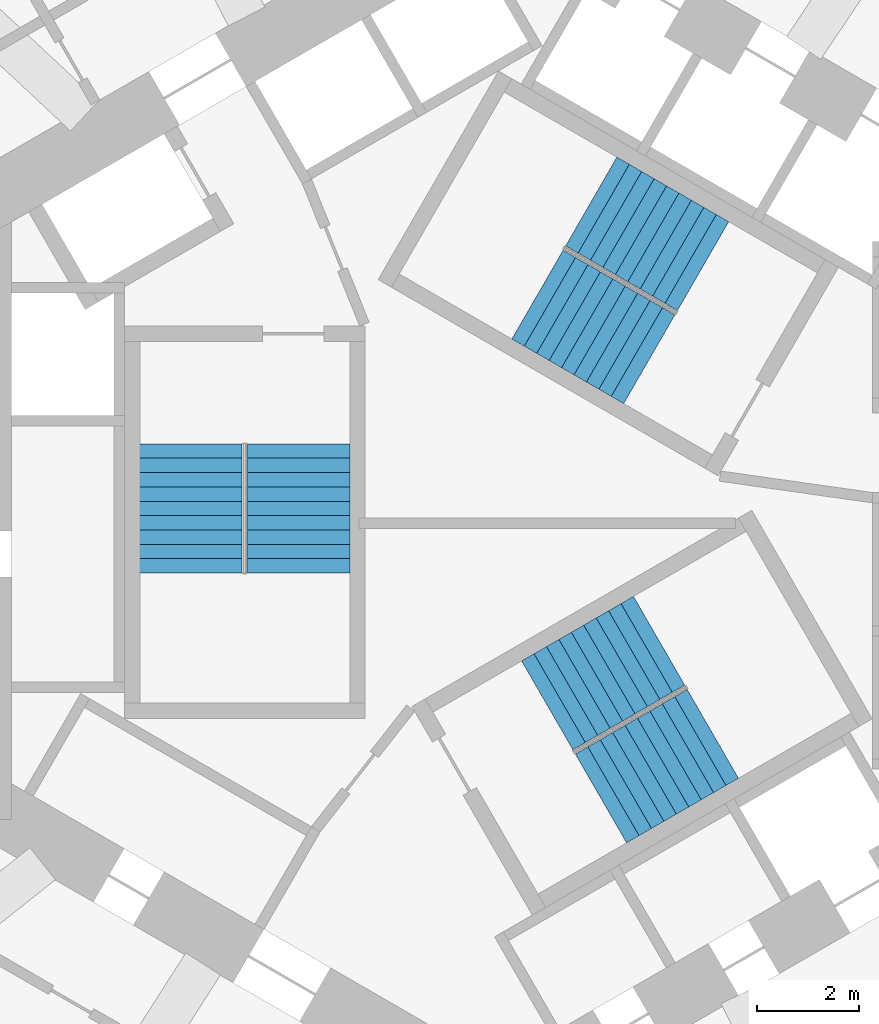
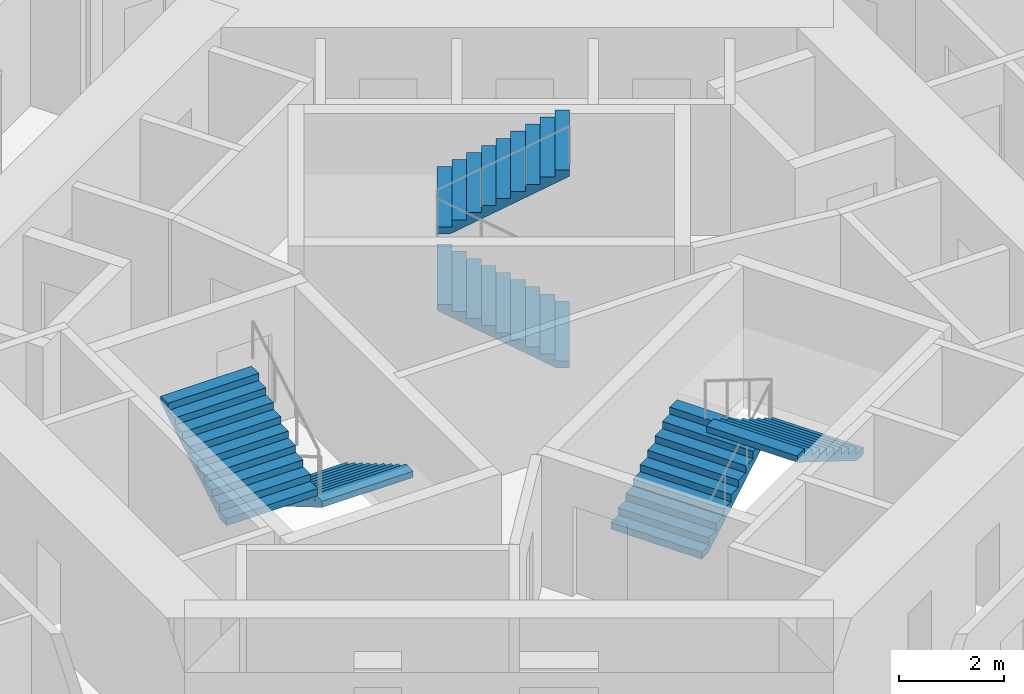
# One storey, part 9 of 11: 6 stair flights, 3 elements without a shape of their own.
"""IFC4 building model written with IfcOpenShell, lengths in metres."""

from ifc_helpers import new_model, si_unit, direction, frame, origin, place, context, subcontext, project, spatial, triangles, source, transform, mapped, material, type_object, element, aggregate, save


model = new_model("IFC4")

# Units and contexts
model_context = context("Model", 3, precision=1e-05, world=origin(), true_north=direction((0.0, 1.0)))
body_context = subcontext(model_context, "Body", "Model", "MODEL_VIEW")
ifc_project = project(units=[si_unit("LENGTHUNIT", "METRE"), si_unit("AREAUNIT", "SQUARE_METRE"), si_unit("VOLUMEUNIT", "CUBIC_METRE"), si_unit("PLANEANGLEUNIT", "RADIAN"), si_unit("MASSUNIT", "GRAM", prefix="KILO")], contexts=[model_context])

# Site, building, storey
site_placement = place(None, origin())
site = spatial("IfcSite", under=ifc_project, at=site_placement, CompositionType="ELEMENT")
building_placement = place(site_placement, origin())
building = spatial("IfcBuilding", under=site, at=building_placement, Name="Vanh Sen Convention Tower", CompositionType="ELEMENT")
storey_placement = place(building_placement, frame((0.0, 0.0, 100.10009765625)))
storey = spatial("IfcBuildingStorey", under=building, at=storey_placement, Name="L23", CompositionType="ELEMENT", Elevation=100.10009765625)

# Stair, stair flights
ifc_material_1 = material(Name="Concrete C50/60", Category="concrete")
stair_type_1 = type_object("IfcStairType", Name="Exit stair ST1 20 risers at 165.0", PredefinedType="HALF_TURN_STAIR", material=ifc_material_1)
stair_1_placement = place(storey_placement, origin())
stair_1 = element("IfcStair", 1, at=stair_1_placement, inside=storey, type_object=stair_type_1, Name="Exit stair ST1 L23", PredefinedType="HALF_TURN_STAIR")
ifc_material_2 = material(Name="Concrete C40/50", Category="concrete")
stair_flight_type = type_object("IfcStairFlightType", Name="Stair flight 2000", PredefinedType="STRAIGHT", material=ifc_material_2)
shared_shape = source(origin(), body_context, "Body", "Tessellation", [
    triangles([(0.24609375, 1.0, 0.0), (0.0, 1.0, 0.0), (0.0, 1.0, 0.1650390625), (0.280029296875, 1.0, 0.1650390625), (0.280029296875, 1.0, 0.330078125), (0.56005859375, 1.0, 0.330078125), (0.56005859375, 1.0, 0.4951171875), (0.840087890625, 1.0, 0.4951171875), (0.840087890625, 1.0, 0.659912109375), (1.1201171875, 1.0, 0.659912109375), (1.1201171875, 1.0, 0.824951171875), (1.39990234375, 1.0, 0.824951171875), (1.39990234375, 1.0, 0.989990234375), (1.679931640625, 1.0, 0.989990234375), (1.679931640625, 1.0, 1.155029296875), (1.9599609375, 1.0, 1.155029296875), (1.9599609375, 1.0, 1.320068359375), (2.239990234375, 1.0, 1.320068359375), (2.239990234375, 1.0, 1.485107421875), (2.52001953125, 1.0, 1.485107421875), (2.52001953125, 1.0, 1.33984375), (0.24609375, -1.0, 0.0), (0.0, -1.0, 0.0), (0.0, -1.0, 0.1650390625), (0.280029296875, -1.0, 0.1650390625), (0.280029296875, -1.0, 0.330078125), (0.56005859375, -1.0, 0.330078125), (0.56005859375, -1.0, 0.4951171875), (0.840087890625, -1.0, 0.4951171875), (0.840087890625, -1.0, 0.659912109375), (1.1201171875, -1.0, 0.659912109375), (1.1201171875, -1.0, 0.824951171875), (1.39990234375, -1.0, 0.824951171875), (1.39990234375, -1.0, 0.989990234375), (1.679931640625, -1.0, 0.989990234375), (1.679931640625, -1.0, 1.155029296875), (1.9599609375, -1.0, 1.155029296875), (1.9599609375, -1.0, 1.320068359375), (2.239990234375, -1.0, 1.320068359375), (2.239990234375, -1.0, 1.485107421875), (2.52001953125, -1.0, 1.485107421875), (2.52001953125, -1.0, 1.33984375), (0.0, 0.0400390625, 0.0), (0.0, 0.0390625, 0.0), (0.0, 0.0380859375, 0.0), (0.0, 0.037109375, 0.0), (0.0, 0.035888671875, 0.0), (0.0, 0.034912109375, 0.0), (0.0, 0.033935546875, 0.0), (0.0, 0.032958984375, 0.0), (0.0, 0.031982421875, 0.0), (0.0, 0.031005859375, 0.0), (0.0, 0.030029296875, 0.0), (0.0, 0.029052734375, 0.0), (0.0, 0.028076171875, 0.0), (0.0, 0.027099609375, 0.0), (0.0, 0.02587890625, 0.0), (0.0, 0.02490234375, 0.0), (0.0, 0.02392578125, 0.0), (0.0, 0.02294921875, 0.0), (0.0, 0.02197265625, 0.0), (0.0, 0.02099609375, 0.0), (0.0, 0.02001953125, 0.0), (0.0, 0.01904296875, 0.0), (0.0, 0.01806640625, 0.0), (0.0, 0.01708984375, 0.0), (0.0, 0.01611328125, 0.0), (0.0, 0.014892578125, 0.0), (0.0, 0.013916015625, 0.0), (0.0, 0.012939453125, 0.0), (0.0, 0.011962890625, 0.0), (0.0, 0.010986328125, 0.0), (0.0, 0.010009765625, 0.0), (0.0, 0.009033203125, 0.0), (0.0, 0.008056640625, 0.0), (0.0, 0.007080078125, 0.0), (0.0, 0.006103515625, 0.0), (0.0, 0.0048828125, 0.0), (0.0, 0.00390625, 0.0), (0.0, 0.0029296875, 0.0), (0.0, 0.001953125, 0.0), (0.0, 0.0009765625, 0.0), (0.0, 0.0, 0.0), (0.0, -0.0009765625, 0.0), (0.0, -0.001953125, 0.0), (0.0, -0.0029296875, 0.0), (0.0, -0.00390625, 0.0), (0.0, -0.0048828125, 0.0), (0.0, -0.006103515625, 0.0), (0.0, -0.007080078125, 0.0), (0.0, -0.008056640625, 0.0), (0.0, -0.009033203125, 0.0), (0.0, -0.010009765625, 0.0), (0.0, -0.010986328125, 0.0), (0.0, -0.011962890625, 0.0), (0.0, -0.012939453125, 0.0), (0.0, -0.013916015625, 0.0), (0.0, -0.014892578125, 0.0), (0.0, -0.01611328125, 0.0), (0.0, -0.01708984375, 0.0), (0.0, -0.01806640625, 0.0), (0.0, -0.01904296875, 0.0), (0.0, -0.02001953125, 0.0), (0.0, -0.02099609375, 0.0), (0.0, -0.02197265625, 0.0), (0.0, -0.02294921875, 0.0), (0.0, -0.02392578125, 0.0), (0.0, -0.02490234375, 0.0), (0.0, -0.02587890625, 0.0), (0.0, -0.027099609375, 0.0), (0.0, -0.028076171875, 0.0), (0.0, -0.029052734375, 0.0), (0.0, -0.030029296875, 0.0), (0.0, -0.031005859375, 0.0), (0.0, -0.031982421875, 0.0), (0.0, -0.032958984375, 0.0), (0.0, -0.033935546875, 0.0), (0.0, -0.034912109375, 0.0), (0.0, -0.035888671875, 0.0), (0.0, -0.037109375, 0.0), (0.0, -0.0380859375, 0.0), (0.0, -0.0390625, 0.0), (0.0, -0.0400390625, 0.0), (0.0, 0.0400390625, 0.1650390625), (0.0, 0.0390625, 0.1650390625), (0.0, 0.0380859375, 0.1650390625), (0.0, 0.037109375, 0.1650390625), (0.0, 0.035888671875, 0.1650390625), (0.0, 0.034912109375, 0.1650390625), (0.0, 0.033935546875, 0.1650390625), (0.0, 0.032958984375, 0.1650390625), (0.0, 0.031982421875, 0.1650390625), (0.0, 0.031005859375, 0.1650390625), (0.0, 0.030029296875, 0.1650390625), (0.0, 0.029052734375, 0.1650390625), (0.0, 0.028076171875, 0.1650390625), (0.0, 0.027099609375, 0.1650390625), (0.0, 0.02587890625, 0.1650390625), (0.0, 0.02490234375, 0.1650390625), (0.0, 0.02392578125, 0.1650390625), (0.0, 0.02294921875, 0.1650390625), (0.0, 0.02197265625, 0.1650390625), (0.0, 0.02099609375, 0.1650390625), (0.0, 0.02001953125, 0.1650390625), (0.0, 0.01904296875, 0.1650390625), (0.0, 0.01806640625, 0.1650390625), (0.0, 0.01708984375, 0.1650390625), (0.0, 0.01611328125, 0.1650390625), (0.0, 0.014892578125, 0.1650390625), (0.0, 0.013916015625, 0.1650390625), (0.0, 0.012939453125, 0.1650390625), (0.0, 0.011962890625, 0.1650390625), (0.0, 0.010986328125, 0.1650390625), (0.0, 0.010009765625, 0.1650390625), (0.0, 0.009033203125, 0.1650390625), (0.0, 0.008056640625, 0.1650390625), (0.0, 0.007080078125, 0.1650390625), (0.0, 0.006103515625, 0.1650390625), (0.0, 0.0048828125, 0.1650390625), (0.0, 0.00390625, 0.1650390625), (0.0, 0.0029296875, 0.1650390625), (0.0, 0.001953125, 0.1650390625), (0.0, 0.0009765625, 0.1650390625), (0.0, 0.0, 0.1650390625), (0.0, -0.0009765625, 0.1650390625), (0.0, -0.001953125, 0.1650390625), (0.0, -0.0029296875, 0.1650390625), (0.0, -0.00390625, 0.1650390625), (0.0, -0.0048828125, 0.1650390625), (0.0, -0.006103515625, 0.1650390625), (0.0, -0.007080078125, 0.1650390625), (0.0, -0.008056640625, 0.1650390625), (0.0, -0.009033203125, 0.1650390625), (0.0, -0.010009765625, 0.1650390625), (0.0, -0.010986328125, 0.1650390625), (0.0, -0.011962890625, 0.1650390625), (0.0, -0.012939453125, 0.1650390625), (0.0, -0.013916015625, 0.1650390625), (0.0, -0.014892578125, 0.1650390625), (0.0, -0.01611328125, 0.1650390625), (0.0, -0.01708984375, 0.1650390625), (0.0, -0.01806640625, 0.1650390625), (0.0, -0.01904296875, 0.1650390625), (0.0, -0.02001953125, 0.1650390625), (0.0, -0.02099609375, 0.1650390625), (0.0, -0.02197265625, 0.1650390625), (0.0, -0.02294921875, 0.1650390625), (0.0, -0.02392578125, 0.1650390625), (0.0, -0.02490234375, 0.1650390625), (0.0, -0.02587890625, 0.1650390625), (0.0, -0.027099609375, 0.1650390625), (0.0, -0.028076171875, 0.1650390625), (0.0, -0.029052734375, 0.1650390625), (0.0, -0.030029296875, 0.1650390625), (0.0, -0.031005859375, 0.1650390625), (0.0, -0.031982421875, 0.1650390625), (0.0, -0.032958984375, 0.1650390625), (0.0, -0.033935546875, 0.1650390625), (0.0, -0.034912109375, 0.1650390625), (0.0, -0.035888671875, 0.1650390625), (0.0, -0.037109375, 0.1650390625), (0.0, -0.0380859375, 0.1650390625), (0.0, -0.0390625, 0.1650390625), (0.0, -0.0400390625, 0.1650390625), (0.280029296875, 0.0, 0.1650390625), (0.280029296875, 0.0, 0.330078125), (0.56005859375, 0.0, 0.330078125), (0.56005859375, 0.0, 0.4951171875), (0.840087890625, 0.0, 0.4951171875), (0.840087890625, 0.0, 0.659912109375), (1.1201171875, 0.0, 0.659912109375), (1.1201171875, 0.0, 0.824951171875), (1.39990234375, 0.0, 0.824951171875), (1.39990234375, 0.0, 0.989990234375), (1.679931640625, 0.0, 0.989990234375), (1.679931640625, 0.0, 1.155029296875), (1.9599609375, 0.0, 1.155029296875), (1.9599609375, 0.0, 1.320068359375), (2.239990234375, 0.0, 1.320068359375), (2.239990234375, 0.0, 1.485107421875), (2.52001953125, 0.0400390625, 1.485107421875), (2.52001953125, 0.0390625, 1.485107421875), (2.52001953125, 0.0380859375, 1.485107421875), (2.52001953125, 0.037109375, 1.485107421875), (2.52001953125, 0.035888671875, 1.485107421875), (2.52001953125, 0.034912109375, 1.485107421875), (2.52001953125, 0.033935546875, 1.485107421875), (2.52001953125, 0.032958984375, 1.485107421875), (2.52001953125, 0.031982421875, 1.485107421875), (2.52001953125, 0.031005859375, 1.485107421875), (2.52001953125, 0.030029296875, 1.485107421875), (2.52001953125, 0.029052734375, 1.485107421875), (2.52001953125, 0.028076171875, 1.485107421875), (2.52001953125, 0.027099609375, 1.485107421875), (2.52001953125, 0.02587890625, 1.485107421875), (2.52001953125, 0.02490234375, 1.485107421875), (2.52001953125, 0.02392578125, 1.485107421875), (2.52001953125, 0.02294921875, 1.485107421875), (2.52001953125, 0.02197265625, 1.485107421875), (2.52001953125, 0.02099609375, 1.485107421875), (2.52001953125, 0.02001953125, 1.485107421875), (2.52001953125, 0.01904296875, 1.485107421875), (2.52001953125, 0.01806640625, 1.485107421875), (2.52001953125, 0.01708984375, 1.485107421875), (2.52001953125, 0.01611328125, 1.485107421875), (2.52001953125, 0.014892578125, 1.485107421875), (2.52001953125, 0.013916015625, 1.485107421875), (2.52001953125, 0.012939453125, 1.485107421875), (2.52001953125, 0.011962890625, 1.485107421875), (2.52001953125, 0.010986328125, 1.485107421875), (2.52001953125, 0.010009765625, 1.485107421875), (2.52001953125, 0.009033203125, 1.485107421875), (2.52001953125, 0.008056640625, 1.485107421875), (2.52001953125, 0.007080078125, 1.485107421875), (2.52001953125, 0.006103515625, 1.485107421875), (2.52001953125, 0.0048828125, 1.485107421875), (2.52001953125, 0.00390625, 1.485107421875), (2.52001953125, 0.0029296875, 1.485107421875), (2.52001953125, 0.001953125, 1.485107421875), (2.52001953125, 0.0009765625, 1.485107421875), (2.52001953125, 0.0, 1.485107421875), (2.52001953125, -0.0009765625, 1.485107421875), (2.52001953125, -0.001953125, 1.485107421875), (2.52001953125, -0.0029296875, 1.485107421875), (2.52001953125, -0.00390625, 1.485107421875), (2.52001953125, -0.0048828125, 1.485107421875), (2.52001953125, -0.006103515625, 1.485107421875), (2.52001953125, -0.007080078125, 1.485107421875), (2.52001953125, -0.008056640625, 1.485107421875), (2.52001953125, -0.009033203125, 1.485107421875), (2.52001953125, -0.010009765625, 1.485107421875), (2.52001953125, -0.010986328125, 1.485107421875), (2.52001953125, -0.011962890625, 1.485107421875), (2.52001953125, -0.012939453125, 1.485107421875), (2.52001953125, -0.013916015625, 1.485107421875), (2.52001953125, -0.014892578125, 1.485107421875), (2.52001953125, -0.01611328125, 1.485107421875), (2.52001953125, -0.01708984375, 1.485107421875), (2.52001953125, -0.01806640625, 1.485107421875), (2.52001953125, -0.01904296875, 1.485107421875), (2.52001953125, -0.02001953125, 1.485107421875), (2.52001953125, -0.02099609375, 1.485107421875), (2.52001953125, -0.02197265625, 1.485107421875), (2.52001953125, -0.02294921875, 1.485107421875), (2.52001953125, -0.02392578125, 1.485107421875), (2.52001953125, -0.02490234375, 1.485107421875), (2.52001953125, -0.02587890625, 1.485107421875), (2.52001953125, -0.027099609375, 1.485107421875), (2.52001953125, -0.028076171875, 1.485107421875), (2.52001953125, -0.029052734375, 1.485107421875), (2.52001953125, -0.030029296875, 1.485107421875), (2.52001953125, -0.031005859375, 1.485107421875), (2.52001953125, -0.031982421875, 1.485107421875), (2.52001953125, -0.032958984375, 1.485107421875), (2.52001953125, -0.033935546875, 1.485107421875), (2.52001953125, -0.034912109375, 1.485107421875), (2.52001953125, -0.035888671875, 1.485107421875), (2.52001953125, -0.037109375, 1.485107421875), (2.52001953125, -0.0380859375, 1.485107421875), (2.52001953125, -0.0390625, 1.485107421875), (2.52001953125, -0.0400390625, 1.485107421875), (2.52001953125, 0.0400390625, 1.33984375), (2.52001953125, 0.0390625, 1.33984375), (2.52001953125, 0.0380859375, 1.33984375), (2.52001953125, 0.037109375, 1.33984375), (2.52001953125, 0.035888671875, 1.33984375), (2.52001953125, 0.034912109375, 1.33984375), (2.52001953125, 0.033935546875, 1.33984375), (2.52001953125, 0.032958984375, 1.33984375), (2.52001953125, 0.031982421875, 1.33984375), (2.52001953125, 0.031005859375, 1.33984375), (2.52001953125, 0.030029296875, 1.33984375), (2.52001953125, 0.029052734375, 1.33984375), (2.52001953125, 0.028076171875, 1.33984375), (2.52001953125, 0.027099609375, 1.33984375), (2.52001953125, 0.02587890625, 1.33984375), (2.52001953125, 0.02490234375, 1.33984375), (2.52001953125, 0.02392578125, 1.33984375), (2.52001953125, 0.02294921875, 1.33984375), (2.52001953125, 0.02197265625, 1.33984375), (2.52001953125, 0.02099609375, 1.33984375), (2.52001953125, 0.02001953125, 1.33984375), (2.52001953125, 0.01904296875, 1.33984375), (2.52001953125, 0.01806640625, 1.33984375), (2.52001953125, 0.01708984375, 1.33984375), (2.52001953125, 0.01611328125, 1.33984375), (2.52001953125, 0.014892578125, 1.33984375), (2.52001953125, 0.013916015625, 1.33984375), (2.52001953125, 0.012939453125, 1.33984375), (2.52001953125, 0.011962890625, 1.33984375), (2.52001953125, 0.010986328125, 1.33984375), (2.52001953125, 0.010009765625, 1.33984375), (2.52001953125, 0.009033203125, 1.33984375), (2.52001953125, 0.008056640625, 1.33984375), (2.52001953125, 0.007080078125, 1.33984375), (2.52001953125, 0.006103515625, 1.33984375), (2.52001953125, 0.0048828125, 1.33984375), (2.52001953125, 0.00390625, 1.33984375), (2.52001953125, 0.0029296875, 1.33984375), (2.52001953125, 0.001953125, 1.33984375), (2.52001953125, 0.0009765625, 1.33984375), (2.52001953125, 0.0, 1.33984375), (2.52001953125, -0.0009765625, 1.33984375), (2.52001953125, -0.001953125, 1.33984375), (2.52001953125, -0.0029296875, 1.33984375), (2.52001953125, -0.00390625, 1.33984375), (2.52001953125, -0.0048828125, 1.33984375), (2.52001953125, -0.006103515625, 1.33984375), (2.52001953125, -0.007080078125, 1.33984375), (2.52001953125, -0.008056640625, 1.33984375), (2.52001953125, -0.009033203125, 1.33984375), (2.52001953125, -0.010009765625, 1.33984375), (2.52001953125, -0.010986328125, 1.33984375), (2.52001953125, -0.011962890625, 1.33984375), (2.52001953125, -0.012939453125, 1.33984375), (2.52001953125, -0.013916015625, 1.33984375), (2.52001953125, -0.014892578125, 1.33984375), (2.52001953125, -0.01611328125, 1.33984375), (2.52001953125, -0.01708984375, 1.33984375), (2.52001953125, -0.01806640625, 1.33984375), (2.52001953125, -0.01904296875, 1.33984375), (2.52001953125, -0.02001953125, 1.33984375), (2.52001953125, -0.02099609375, 1.33984375), (2.52001953125, -0.02197265625, 1.33984375), (2.52001953125, -0.02294921875, 1.33984375), (2.52001953125, -0.02392578125, 1.33984375), (2.52001953125, -0.02490234375, 1.33984375), (2.52001953125, -0.02587890625, 1.33984375), (2.52001953125, -0.027099609375, 1.33984375), (2.52001953125, -0.028076171875, 1.33984375), (2.52001953125, -0.029052734375, 1.33984375), (2.52001953125, -0.030029296875, 1.33984375), (2.52001953125, -0.031005859375, 1.33984375), (2.52001953125, -0.031982421875, 1.33984375), (2.52001953125, -0.032958984375, 1.33984375), (2.52001953125, -0.033935546875, 1.33984375), (2.52001953125, -0.034912109375, 1.33984375), (2.52001953125, -0.035888671875, 1.33984375), (2.52001953125, -0.037109375, 1.33984375), (2.52001953125, -0.0380859375, 1.33984375), (2.52001953125, -0.0390625, 1.33984375), (2.52001953125, -0.0400390625, 1.33984375), (0.24609375, 0.0, 0.0)], [[1, 2, 3], [1, 3, 4], [4, 5, 6], [1, 4, 6], [6, 7, 8], [1, 6, 8], [8, 9, 10], [1, 8, 10], [10, 11, 12], [1, 10, 12], [12, 13, 14], [1, 12, 14], [14, 15, 16], [1, 14, 16], [16, 17, 18], [1, 16, 18], [18, 19, 20], [1, 18, 20], [20, 21, 1], [22, 24, 23], [22, 25, 24], [25, 27, 26], [22, 27, 25], [27, 29, 28], [22, 29, 27], [29, 31, 30], [22, 31, 29], [31, 33, 32], [22, 33, 31], [33, 35, 34], [22, 35, 33], [35, 37, 36], [22, 37, 35], [37, 39, 38], [22, 39, 37], [39, 41, 40], [22, 41, 39], [41, 22, 42], [2, 124, 3], [2, 43, 124], [43, 125, 124], [43, 44, 125], [44, 126, 125], [44, 45, 126], [45, 127, 126], [45, 46, 127], [46, 128, 127], [46, 47, 128], [47, 129, 128], [47, 48, 129], [48, 130, 129], [48, 49, 130], [49, 131, 130], [49, 50, 131], [50, 132, 131], [50, 51, 132], [51, 133, 132], [51, 52, 133], [52, 134, 133], [52, 53, 134], [53, 135, 134], [53, 54, 135], [54, 136, 135], [54, 55, 136], [55, 137, 136], [55, 56, 137], [56, 138, 137], [56, 57, 138], [57, 139, 138], [57, 58, 139], [58, 140, 139], [58, 59, 140], [59, 141, 140], [59, 60, 141], [60, 142, 141], [60, 61, 142], [61, 143, 142], [61, 62, 143], [62, 144, 143], [62, 63, 144], [63, 145, 144], [63, 64, 145], [64, 146, 145], [64, 65, 146], [65, 147, 146], [65, 66, 147], [66, 148, 147], [66, 67, 148], [67, 149, 148], [67, 68, 149], [68, 150, 149], [68, 69, 150], [69, 151, 150], [69, 70, 151], [70, 152, 151], [70, 71, 152], [71, 153, 152], [71, 72, 153], [72, 154, 153], [72, 73, 154], [73, 155, 154], [73, 74, 155], [74, 156, 155], [74, 75, 156], [75, 157, 156], [75, 76, 157], [76, 158, 157], [76, 77, 158], [77, 159, 158], [77, 78, 159], [78, 160, 159], [78, 79, 160], [79, 161, 160], [79, 80, 161], [80, 162, 161], [80, 81, 162], [81, 163, 162], [81, 82, 163], [82, 164, 163], [82, 83, 164], [83, 84, 164], [164, 84, 165], [84, 85, 165], [165, 85, 166], [85, 86, 166], [166, 86, 167], [86, 87, 167], [167, 87, 168], [87, 88, 168], [168, 88, 169], [88, 89, 169], [169, 89, 170], [89, 90, 170], [170, 90, 171], [90, 91, 171], [171, 91, 172], [91, 92, 172], [172, 92, 173], [92, 93, 173], [173, 93, 174], [93, 94, 174], [174, 94, 175], [94, 95, 175], [175, 95, 176], [95, 96, 176], [176, 96, 177], [96, 97, 177], [177, 97, 178], [97, 98, 178], [178, 98, 179], [98, 99, 179], [179, 99, 180], [99, 100, 180], [180, 100, 181], [100, 101, 181], [181, 101, 182], [101, 102, 182], [182, 102, 183], [102, 103, 183], [183, 103, 184], [103, 104, 184], [184, 104, 185], [104, 105, 185], [185, 105, 186], [105, 106, 186], [186, 106, 187], [106, 107, 187], [187, 107, 188], [107, 108, 188], [188, 108, 189], [108, 109, 189], [189, 109, 190], [109, 110, 190], [190, 110, 191], [110, 111, 191], [191, 111, 192], [111, 112, 192], [192, 112, 193], [112, 113, 193], [193, 113, 194], [113, 114, 194], [194, 114, 195], [114, 115, 195], [195, 115, 196], [115, 116, 196], [196, 116, 197], [116, 117, 197], [197, 117, 198], [117, 118, 198], [198, 118, 199], [118, 119, 199], [199, 119, 200], [119, 120, 200], [200, 120, 201], [120, 121, 201], [201, 121, 202], [121, 122, 202], [202, 122, 203], [122, 123, 203], [203, 123, 204], [123, 23, 204], [204, 23, 24], [4, 3, 124], [4, 124, 125], [4, 125, 126], [4, 126, 127], [4, 127, 128], [4, 128, 129], [4, 129, 130], [4, 130, 131], [4, 131, 132], [4, 132, 133], [4, 133, 134], [4, 134, 135], [4, 135, 136], [4, 136, 137], [4, 137, 138], [4, 138, 139], [4, 139, 140], [4, 140, 141], [4, 141, 142], [4, 142, 143], [4, 143, 144], [4, 144, 145], [4, 145, 146], [4, 146, 147], [4, 147, 148], [4, 148, 149], [4, 149, 150], [4, 150, 151], [4, 151, 152], [4, 152, 153], [4, 153, 154], [4, 154, 155], [4, 155, 156], [4, 156, 157], [4, 157, 158], [4, 158, 159], [4, 159, 160], [4, 160, 161], [4, 161, 162], [4, 162, 163], [4, 163, 164], [25, 164, 165], [25, 165, 166], [25, 166, 167], [25, 167, 168], [25, 168, 169], [25, 169, 170], [25, 170, 171], [25, 171, 172], [25, 172, 173], [25, 173, 174], [25, 174, 175], [25, 175, 176], [25, 176, 177], [25, 177, 178], [25, 178, 179], [25, 179, 180], [25, 180, 181], [25, 181, 182], [25, 182, 183], [25, 183, 184], [25, 184, 185], [25, 185, 186], [25, 186, 187], [25, 187, 188], [25, 188, 189], [25, 189, 190], [25, 190, 191], [25, 191, 192], [25, 192, 193], [25, 193, 194], [25, 194, 195], [25, 195, 196], [25, 196, 197], [25, 197, 198], [25, 198, 199], [25, 199, 200], [25, 200, 201], [25, 201, 202], [25, 202, 203], [25, 203, 204], [25, 204, 24], [4, 164, 205], [25, 205, 164], [4, 206, 5], [4, 205, 206], [205, 25, 206], [206, 25, 26], [5, 207, 6], [5, 206, 207], [206, 26, 207], [207, 26, 27], [6, 208, 7], [6, 207, 208], [207, 27, 208], [208, 27, 28], [7, 209, 8], [7, 208, 209], [208, 28, 209], [209, 28, 29], [8, 210, 9], [8, 209, 210], [209, 29, 210], [210, 29, 30], [9, 211, 10], [9, 210, 211], [210, 30, 211], [211, 30, 31], [10, 212, 11], [10, 211, 212], [211, 31, 212], [212, 31, 32], [11, 213, 12], [11, 212, 213], [212, 32, 213], [213, 32, 33], [12, 214, 13], [12, 213, 214], [213, 33, 214], [214, 33, 34], [13, 215, 14], [13, 214, 215], [214, 34, 215], [215, 34, 35], [14, 216, 15], [14, 215, 216], [215, 35, 216], [216, 35, 36], [15, 217, 16], [15, 216, 217], [216, 36, 217], [217, 36, 37], [16, 218, 17], [16, 217, 218], [217, 37, 218], [218, 37, 38], [17, 219, 18], [17, 218, 219], [218, 38, 219], [219, 38, 39], [18, 220, 19], [18, 219, 220], [219, 39, 220], [220, 39, 40], [19, 221, 20], [19, 222, 221], [19, 223, 222], [19, 224, 223], [19, 225, 224], [19, 226, 225], [19, 227, 226], [19, 228, 227], [19, 229, 228], [19, 230, 229], [19, 231, 230], [19, 232, 231], [19, 233, 232], [19, 234, 233], [19, 235, 234], [19, 236, 235], [19, 237, 236], [19, 238, 237], [19, 239, 238], [19, 240, 239], [19, 241, 240], [19, 242, 241], [19, 243, 242], [19, 244, 243], [19, 245, 244], [19, 246, 245], [19, 247, 246], [19, 248, 247], [19, 249, 248], [19, 250, 249], [19, 251, 250], [19, 252, 251], [19, 253, 252], [19, 254, 253], [19, 255, 254], [19, 256, 255], [19, 257, 256], [19, 258, 257], [19, 259, 258], [19, 260, 259], [19, 261, 260], [40, 262, 261], [40, 263, 262], [40, 264, 263], [40, 265, 264], [40, 266, 265], [40, 267, 266], [40, 268, 267], [40, 269, 268], [40, 270, 269], [40, 271, 270], [40, 272, 271], [40, 273, 272], [40, 274, 273], [40, 275, 274], [40, 276, 275], [40, 277, 276], [40, 278, 277], [40, 279, 278], [40, 280, 279], [40, 281, 280], [40, 282, 281], [40, 283, 282], [40, 284, 283], [40, 285, 284], [40, 286, 285], [40, 287, 286], [40, 288, 287], [40, 289, 288], [40, 290, 289], [40, 291, 290], [40, 292, 291], [40, 293, 292], [40, 294, 293], [40, 295, 294], [40, 296, 295], [40, 297, 296], [40, 298, 297], [40, 299, 298], [40, 300, 299], [40, 301, 300], [40, 41, 301], [19, 220, 261], [40, 261, 220], [20, 302, 21], [20, 221, 302], [221, 303, 302], [221, 222, 303], [222, 304, 303], [222, 223, 304], [223, 305, 304], [223, 224, 305], [224, 306, 305], [224, 225, 306], [225, 307, 306], [225, 226, 307], [226, 308, 307], [226, 227, 308], [227, 309, 308], [227, 228, 309], [228, 310, 309], [228, 229, 310], [229, 311, 310], [229, 230, 311], [230, 312, 311], [230, 231, 312], [231, 313, 312], [231, 232, 313], [232, 314, 313], [232, 233, 314], [233, 315, 314], [233, 234, 315], [234, 316, 315], [234, 235, 316], [235, 317, 316], [235, 236, 317], [236, 318, 317], [236, 237, 318], [237, 319, 318], [237, 238, 319], [238, 320, 319], [238, 239, 320], [239, 321, 320], [239, 240, 321], [240, 322, 321], [240, 241, 322], [241, 323, 322], [241, 242, 323], [242, 324, 323], [242, 243, 324], [243, 325, 324], [243, 244, 325], [244, 326, 325], [244, 245, 326], [245, 327, 326], [245, 246, 327], [246, 328, 327], [246, 247, 328], [247, 329, 328], [247, 248, 329], [248, 330, 329], [248, 249, 330], [249, 331, 330], [249, 250, 331], [250, 332, 331], [250, 251, 332], [251, 333, 332], [251, 252, 333], [252, 334, 333], [252, 253, 334], [253, 335, 334], [253, 254, 335], [254, 336, 335], [254, 255, 336], [255, 337, 336], [255, 256, 337], [256, 338, 337], [256, 257, 338], [257, 339, 338], [257, 258, 339], [258, 340, 339], [258, 259, 340], [259, 341, 340], [259, 260, 341], [260, 342, 341], [260, 261, 342], [261, 262, 342], [342, 262, 343], [262, 263, 343], [343, 263, 344], [263, 264, 344], [344, 264, 345], [264, 265, 345], [345, 265, 346], [265, 266, 346], [346, 266, 347], [266, 267, 347], [347, 267, 348], [267, 268, 348], [348, 268, 349], [268, 269, 349], [349, 269, 350], [269, 270, 350], [350, 270, 351], [270, 271, 351], [351, 271, 352], [271, 272, 352], [352, 272, 353], [272, 273, 353], [353, 273, 354], [273, 274, 354], [354, 274, 355], [274, 275, 355], [355, 275, 356], [275, 276, 356], [356, 276, 357], [276, 277, 357], [357, 277, 358], [277, 278, 358], [358, 278, 359], [278, 279, 359], [359, 279, 360], [279, 280, 360], [360, 280, 361], [280, 281, 361], [361, 281, 362], [281, 282, 362], [362, 282, 363], [282, 283, 363], [363, 283, 364], [283, 284, 364], [364, 284, 365], [284, 285, 365], [365, 285, 366], [285, 286, 366], [366, 286, 367], [286, 287, 367], [367, 287, 368], [287, 288, 368], [368, 288, 369], [288, 289, 369], [369, 289, 370], [289, 290, 370], [370, 290, 371], [290, 291, 371], [371, 291, 372], [291, 292, 372], [372, 292, 373], [292, 293, 373], [373, 293, 374], [293, 294, 374], [374, 294, 375], [294, 295, 375], [375, 295, 376], [295, 296, 376], [376, 296, 377], [296, 297, 377], [377, 297, 378], [297, 298, 378], [378, 298, 379], [298, 299, 379], [379, 299, 380], [299, 300, 380], [380, 300, 381], [300, 301, 381], [381, 301, 382], [301, 41, 382], [382, 41, 42], [1, 21, 302], [1, 302, 303], [1, 303, 304], [1, 304, 305], [1, 305, 306], [1, 306, 307], [1, 307, 308], [1, 308, 309], [1, 309, 310], [1, 310, 311], [1, 311, 312], [1, 312, 313], [1, 313, 314], [1, 314, 315], [1, 315, 316], [1, 316, 317], [1, 317, 318], [1, 318, 319], [1, 319, 320], [1, 320, 321], [1, 321, 322], [1, 322, 323], [1, 323, 324], [1, 324, 325], [1, 325, 326], [1, 326, 327], [1, 327, 328], [1, 328, 329], [1, 329, 330], [1, 330, 331], [1, 331, 332], [1, 332, 333], [1, 333, 334], [1, 334, 335], [1, 335, 336], [1, 336, 337], [1, 337, 338], [1, 338, 339], [1, 339, 340], [1, 340, 341], [1, 341, 342], [22, 342, 343], [22, 343, 344], [22, 344, 345], [22, 345, 346], [22, 346, 347], [22, 347, 348], [22, 348, 349], [22, 349, 350], [22, 350, 351], [22, 351, 352], [22, 352, 353], [22, 353, 354], [22, 354, 355], [22, 355, 356], [22, 356, 357], [22, 357, 358], [22, 358, 359], [22, 359, 360], [22, 360, 361], [22, 361, 362], [22, 362, 363], [22, 363, 364], [22, 364, 365], [22, 365, 366], [22, 366, 367], [22, 367, 368], [22, 368, 369], [22, 369, 370], [22, 370, 371], [22, 371, 372], [22, 372, 373], [22, 373, 374], [22, 374, 375], [22, 375, 376], [22, 376, 377], [22, 377, 378], [22, 378, 379], [22, 379, 380], [22, 380, 381], [22, 381, 382], [22, 382, 42], [1, 342, 383], [22, 383, 342], [1, 43, 2], [1, 44, 43], [1, 45, 44], [1, 46, 45], [1, 47, 46], [1, 48, 47], [1, 49, 48], [1, 50, 49], [1, 51, 50], [1, 52, 51], [1, 53, 52], [1, 54, 53], [1, 55, 54], [1, 56, 55], [1, 57, 56], [1, 58, 57], [1, 59, 58], [1, 60, 59], [1, 61, 60], [1, 62, 61], [1, 63, 62], [1, 64, 63], [1, 65, 64], [1, 66, 65], [1, 67, 66], [1, 68, 67], [1, 69, 68], [1, 70, 69], [1, 71, 70], [1, 72, 71], [1, 73, 72], [1, 74, 73], [1, 75, 74], [1, 76, 75], [1, 77, 76], [1, 78, 77], [1, 79, 78], [1, 80, 79], [1, 81, 80], [1, 82, 81], [1, 83, 82], [22, 84, 83], [22, 85, 84], [22, 86, 85], [22, 87, 86], [22, 88, 87], [22, 89, 88], [22, 90, 89], [22, 91, 90], [22, 92, 91], [22, 93, 92], [22, 94, 93], [22, 95, 94], [22, 96, 95], [22, 97, 96], [22, 98, 97], [22, 99, 98], [22, 100, 99], [22, 101, 100], [22, 102, 101], [22, 103, 102], [22, 104, 103], [22, 105, 104], [22, 106, 105], [22, 107, 106], [22, 108, 107], [22, 109, 108], [22, 110, 109], [22, 111, 110], [22, 112, 111], [22, 113, 112], [22, 114, 113], [22, 115, 114], [22, 116, 115], [22, 117, 116], [22, 118, 117], [22, 119, 118], [22, 120, 119], [22, 121, 120], [22, 122, 121], [22, 123, 122], [22, 23, 123], [1, 383, 83], [22, 83, 383]], closed=True),
])
stair_flight_1_placement = place(storey_placement, frame((2.94580078125, 2.802490234375, 0.0), z_axis=(0.0, 0.0, 1.0), x_axis=(-0.866025403784, 0.5, 0.0)))
stair_flight_1 = element("IfcStairFlight", 2, at=stair_flight_1_placement, type_object=stair_flight_type, Name="ST1 flight 1", NumberOfRisers=10, NumberOfTreads=9, PredefinedType="STRAIGHT", RiserHeight=0.165, TreadLength=0.28, context=body_context, shape_type="MappedRepresentation", body=[
    mapped(shared_shape, transform((0.0, 0.0, 0.0))),
])
stair_flight_2_placement = place(storey_placement, frame((1.8134765625, 5.881103515625, 1.64990234375), z_axis=(0.0, 0.0, 1.0), x_axis=(0.866025403784, -0.5, 0.0)))
stair_flight_2 = element("IfcStairFlight", 3, at=stair_flight_2_placement, type_object=stair_flight_type, Name="ST1 flight 2", NumberOfRisers=10, NumberOfTreads=9, PredefinedType="STRAIGHT", RiserHeight=0.165, TreadLength=0.28, context=body_context, shape_type="MappedRepresentation", body=[
    mapped(shared_shape, transform((0.0, 0.0, 0.0))),
])
aggregate(stair_1, [stair_flight_1, stair_flight_2])

stair_type_2 = type_object("IfcStairType", Name="Exit stair ST2 20 risers at 165.0", PredefinedType="HALF_TURN_STAIR", material=ifc_material_1)
stair_2_placement = place(storey_placement, origin())
stair_2 = element("IfcStair", 4, at=stair_2_placement, inside=storey, type_object=stair_type_2, Name="Exit stair ST2 L23", PredefinedType="HALF_TURN_STAIR")
stair_flight_3_placement = place(storey_placement, frame((-3.89990234375, 1.14990234375, 0.0), z_axis=(0.0, 0.0, 1.0), x_axis=(0.0, -1.0, 0.0)))
stair_flight_3 = element("IfcStairFlight", 5, at=stair_flight_3_placement, type_object=stair_flight_type, Name="ST2 flight 1", NumberOfRisers=10, NumberOfTreads=9, PredefinedType="STRAIGHT", RiserHeight=0.165, TreadLength=0.28, context=body_context, shape_type="MappedRepresentation", body=[
    mapped(shared_shape, transform((0.0, 0.0, 0.0))),
])
stair_flight_4_placement = place(storey_placement, frame((-6.0, -1.3701171875, 1.64990234375), z_axis=(0.0, 0.0, 1.0), x_axis=(0.0, 1.0, 0.0)))
stair_flight_4 = element("IfcStairFlight", 6, at=stair_flight_4_placement, type_object=stair_flight_type, Name="ST2 flight 2", NumberOfRisers=10, NumberOfTreads=9, PredefinedType="STRAIGHT", RiserHeight=0.165, TreadLength=0.28, context=body_context, shape_type="MappedRepresentation", body=[
    mapped(shared_shape, transform((0.0, 0.0, 0.0))),
])
aggregate(stair_2, [stair_flight_3, stair_flight_4])

stair_type_3 = type_object("IfcStairType", Name="Exit stair ST3 20 risers at 165.0", PredefinedType="HALF_TURN_STAIR", material=ifc_material_1)
stair_3_placement = place(storey_placement, origin())
stair_3 = element("IfcStair", 7, at=stair_3_placement, inside=storey, type_object=stair_type_3, Name="Exit stair ST3 L23", PredefinedType="HALF_TURN_STAIR")
stair_flight_5_placement = place(storey_placement, frame((0.9541015625, -3.952392578125, 0.0), z_axis=(0.0, 0.0, 1.0), x_axis=(0.866025403784, 0.5, 0.0)))
stair_flight_5 = element("IfcStairFlight", 8, at=stair_flight_5_placement, type_object=stair_flight_type, Name="ST3 flight 1", NumberOfRisers=10, NumberOfTreads=9, PredefinedType="STRAIGHT", RiserHeight=0.165, TreadLength=0.28, context=body_context, shape_type="MappedRepresentation", body=[
    mapped(shared_shape, transform((0.0, 0.0, 0.0))),
])
stair_flight_6_placement = place(storey_placement, frame((4.1865234375, -4.51123046875, 1.64990234375), z_axis=(0.0, 0.0, 1.0), x_axis=(-0.866025403784, -0.5, 0.0)))
stair_flight_6 = element("IfcStairFlight", 9, at=stair_flight_6_placement, type_object=stair_flight_type, Name="ST3 flight 2", NumberOfRisers=10, NumberOfTreads=9, PredefinedType="STRAIGHT", RiserHeight=0.165, TreadLength=0.28, context=body_context, shape_type="MappedRepresentation", body=[
    mapped(shared_shape, transform((0.0, 0.0, 0.0))),
])
aggregate(stair_3, [stair_flight_5, stair_flight_6])

save(model, "model.ifc")
